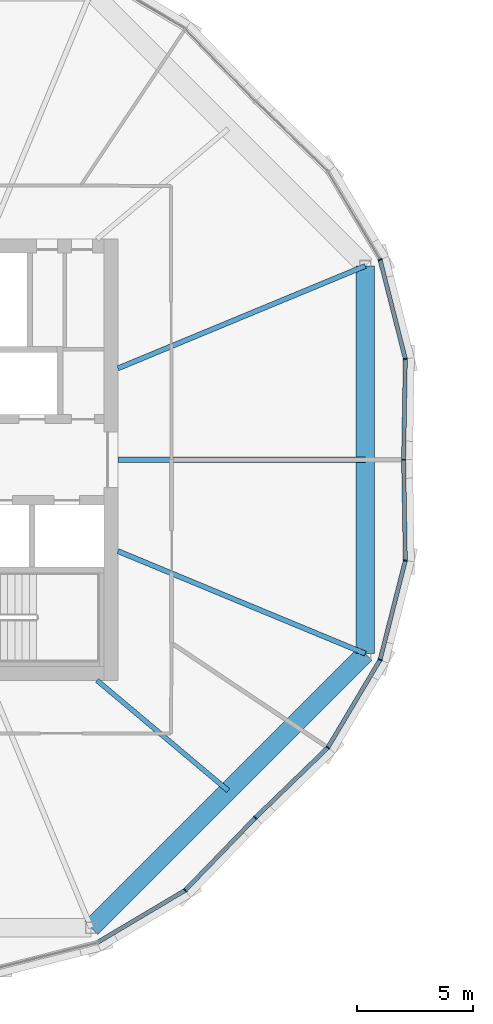
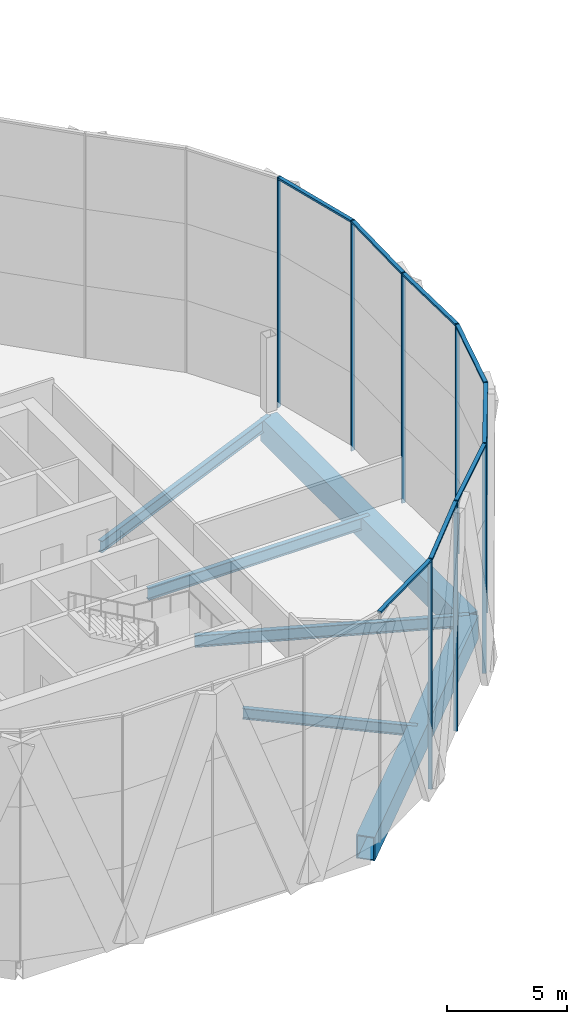
# One storey, part 5 of 23: 16 members, 6 beams, 3 elements without a shape of their own.
"""IFC4 building model written with IfcOpenShell, lengths in metres."""

from ifc_helpers import new_model, si_unit, direction, frame, origin, origin_2d, place, context, subcontext, project, spatial, rectangle, hollow_rectangle, i_section, extrude, material, material_profile, profile_set, type_object, element, aggregate, save


model = new_model("IFC4")

# Units and contexts
model_context = context("Model", 3, precision=1e-05, world=origin(), true_north=direction((0.0, 1.0)))
body_context = subcontext(model_context, "Body", "Model", "MODEL_VIEW")
ifc_project = project(units=[si_unit("LENGTHUNIT", "METRE"), si_unit("AREAUNIT", "SQUARE_METRE"), si_unit("VOLUMEUNIT", "CUBIC_METRE"), si_unit("PLANEANGLEUNIT", "RADIAN"), si_unit("MASSUNIT", "GRAM", prefix="KILO")], contexts=[model_context])

# Site, building, storey
site_placement = place(None, origin())
site = spatial("IfcSite", under=ifc_project, at=site_placement, CompositionType="ELEMENT")
building_placement = place(site_placement, origin())
building = spatial("IfcBuilding", under=site, at=building_placement, Name="Ogive Gate Towers", CompositionType="ELEMENT")
storey_placement = place(building_placement, frame((0.0, 0.0, 177.300048828125)))
storey = spatial("IfcBuildingStorey", under=building, at=storey_placement, Name="L42", CompositionType="ELEMENT", Elevation=177.300048828125)

# Beams
ifc_material_1 = material(Name="Steel SM460", Category="steel")
ifc_material_profile_1 = material_profile(ifc_material_1, hollow_rectangle(XDim=0.800048828125, YDim=1.199951171875, WallThickness=0.050048828125, at=origin_2d()), Name="BX 1200x800x50")
ifc_profile_set_1 = profile_set([ifc_material_profile_1], Name="Steel SM460")
beam_type_1 = type_object("IfcBeamType", Name="Edge girder BX 1200x800x50", PredefinedType="BEAM", material=ifc_profile_set_1)
beam_1_placement = place(storey_placement, frame((-27.653564453125, -20.14990234375, -0.900146484375), z_axis=(0.707106781187, 0.707106781187, 0.0), x_axis=(-0.707106781187, 0.707106781187, 0.0)))
element("IfcBeam", 1, at=beam_1_placement, inside=storey, type_object=beam_type_1, Name="T1/L42/SBM019", PredefinedType="BEAM", context=body_context, shape_type="SweptSolid", body=[
    extrude(hollow_rectangle(XDim=0.800048828125, YDim=1.199951171875, WallThickness=0.050048828125, at=origin_2d()), origin(), (0.0, 0.0, 1.0), 16.692626953125),
])
beam_2_placement = place(storey_placement, frame((-15.85009765625, -8.346435546875, -0.900146484375), z_axis=(0.0, 1.0, 0.0), x_axis=(-1.0, 0.0, 0.0)))
element("IfcBeam", 2, at=beam_2_placement, inside=storey, type_object=beam_type_1, Name="T1/L42/SBM020", PredefinedType="BEAM", context=body_context, shape_type="SweptSolid", body=[
    extrude(hollow_rectangle(XDim=0.800048828125, YDim=1.199951171875, WallThickness=0.050048828125, at=origin_2d()), origin(), (0.0, 0.0, 1.0), 16.69287109375),
])
ifc_material_2 = material(Name="Steel SM355", Category="steel")
ifc_material_profile_2 = material_profile(ifc_material_2, i_section(OverallWidth=0.2099609375, OverallDepth=0.550048828125, WebThickness=0.010986328125, FlangeThickness=0.01708984375, FilletRadius=0.02392578125, at=origin_2d()), Name="IPE 550")
ifc_profile_set_2 = profile_set([ifc_material_profile_2], Name="Steel SM355")
beam_type_2 = type_object("IfcBeamType", Name="Radial floor beam IPE 550", PredefinedType="BEAM", material=ifc_profile_set_2)
beam_3_placement = place(storey_placement, frame((-27.39990234375, -9.5, -0.574951171875), z_axis=(0.76545320234, -0.643491565622, 0.0), x_axis=(0.643491565622, 0.76545320234, 0.0)))
element("IfcBeam", 3, at=beam_3_placement, inside=storey, type_object=beam_type_2, Name="T1/L42/SBM006", PredefinedType="BEAM", context=body_context, shape_type="SweptSolid", body=[
    extrude(i_section(OverallWidth=0.2099609375, OverallDepth=0.550048828125, WebThickness=0.010986328125, FlangeThickness=0.01708984375, FilletRadius=0.02392578125, at=origin_2d()), origin(), (0.0, 0.0, 1.0), 7.378662109375),
])
ifc_material_profile_3 = material_profile(ifc_material_2, i_section(OverallWidth=0.219970703125, OverallDepth=0.60009765625, WebThickness=0.011962890625, FlangeThickness=0.01904296875, FilletRadius=0.02392578125, at=origin_2d()), Name="IPE 600")
ifc_profile_set_3 = profile_set([ifc_material_profile_3], Name="Steel SM355")
beam_type_3 = type_object("IfcBeamType", Name="Radial floor beam IPE 600", PredefinedType="BEAM", material=ifc_profile_set_3)
beam_4_placement = place(storey_placement, frame((-26.5, -3.93505859375, -0.60009765625), z_axis=(0.923878214756, -0.382686613691, 0.0), x_axis=(0.382686613691, 0.923878214756, 0.0)))
element("IfcBeam", 4, at=beam_4_placement, inside=storey, type_object=beam_type_3, Name="T1/L42/SBM007", PredefinedType="BEAM", context=body_context, shape_type="SweptSolid", body=[
    extrude(i_section(OverallWidth=0.219970703125, OverallDepth=0.60009765625, WebThickness=0.011962890625, FlangeThickness=0.01904296875, FilletRadius=0.02392578125, at=origin_2d()), origin(), (0.0, 0.0, 1.0), 11.52734375),
])
beam_5_placement = place(storey_placement, frame((-26.5, 0.0, -0.60009765625), z_axis=(1.0, 0.0, 0.0), x_axis=(0.0, 1.0, 0.0)))
element("IfcBeam", 5, at=beam_5_placement, inside=storey, type_object=beam_type_3, Name="T1/L42/SBM008", PredefinedType="BEAM", context=body_context, shape_type="SweptSolid", body=[
    extrude(i_section(OverallWidth=0.219970703125, OverallDepth=0.60009765625, WebThickness=0.011962890625, FlangeThickness=0.01904296875, FilletRadius=0.02392578125, at=origin_2d()), origin(), (0.0, 0.0, 1.0), 10.64990234375),
])
beam_6_placement = place(storey_placement, frame((-26.5, 3.93505859375, -0.60009765625), z_axis=(0.923878214756, 0.382686613691, 0.0), x_axis=(-0.382686613691, 0.923878214756, 0.0)))
element("IfcBeam", 6, at=beam_6_placement, inside=storey, type_object=beam_type_3, Name="T1/L42/SBM009", PredefinedType="BEAM", context=body_context, shape_type="SweptSolid", body=[
    extrude(i_section(OverallWidth=0.219970703125, OverallDepth=0.60009765625, WebThickness=0.011962890625, FlangeThickness=0.01904296875, FilletRadius=0.02392578125, at=origin_2d()), origin(), (0.0, 0.0, 1.0), 11.52734375),
])

# Curtain wall, members
ifc_material_3 = material(Name="Pale metal aluminium", Category="aluminium")
curtain_wall_type = type_object("IfcCurtainWallType", Name="Tower unitised wall, high zone", PredefinedType="NOTDEFINED", material=ifc_material_3)
curtain_wall_1_placement = place(storey_placement, origin())
curtain_wall_1 = element("IfcCurtainWall", 7, at=curtain_wall_1_placement, inside=storey, type_object=curtain_wall_type, Name="CW2 T1 ECW01", PredefinedType="NOTDEFINED")
ifc_material_profile_4 = material_profile(ifc_material_3, rectangle(XDim=0.179931640625, YDim=0.06005859375, at=origin_2d()), Name="60 x 180 aluminium box")
ifc_profile_set_4 = profile_set([ifc_material_profile_4], Name="Pale metal aluminium")
member_type_1 = type_object("IfcMemberType", Name="Tower unitised wall, high zone mullion 60 x 180", PredefinedType="MULLION", material=ifc_profile_set_4)
member_1_placement = place(storey_placement, frame((-14.199951171875, 0.000244140625, -0.300048828125), z_axis=(0.0, 0.0, 1.0), x_axis=(0.99985699147, -0.016911434246, 0.0)))
member_1 = element("IfcMember", 8, at=member_1_placement, type_object=member_type_1, Name="CW2 mullion", PredefinedType="MULLION", context=body_context, shape_type="SweptSolid", body=[
    extrude(rectangle(XDim=0.179931640625, YDim=0.06005859375, at=origin_2d()), origin(), (0.0, 0.0, 1.0), 11.699951171875),
])
member_2_placement = place(storey_placement, frame((-14.12646484375, 4.343505859375, -0.300048828125), z_axis=(0.0, 0.0, 1.0), x_axis=(0.993272085779, 0.115803987891, 0.0)))
member_2 = element("IfcMember", 9, at=member_2_placement, type_object=member_type_1, Name="CW2 mullion", PredefinedType="MULLION", context=body_context, shape_type="SweptSolid", body=[
    extrude(rectangle(XDim=0.179931640625, YDim=0.06005859375, at=origin_2d()), origin(), (0.0, 0.0, 1.0), 11.699951171875),
])
member_3_placement = place(storey_placement, frame((-15.211669921875, 8.61083984375, -0.300048828125), z_axis=(0.0, 0.0, 1.0), x_axis=(0.923879532511, 0.382683432365, 0.0)))
member_3 = element("IfcMember", 10, at=member_3_placement, type_object=member_type_1, Name="CW2 mullion", PredefinedType="MULLION", context=body_context, shape_type="SweptSolid", body=[
    extrude(rectangle(XDim=0.179931640625, YDim=0.06005859375, at=origin_2d()), origin(), (0.0, 0.0, 1.0), 11.699951171875),
])

curtain_wall_2_placement = place(storey_placement, origin())
curtain_wall_2 = element("IfcCurtainWall", 11, at=curtain_wall_2_placement, inside=storey, type_object=curtain_wall_type, Name="CW2 T1 ECW07", PredefinedType="NOTDEFINED")
member_4_placement = place(storey_placement, frame((-23.6044921875, -18.538330078125, -0.300048828125), z_axis=(0.0, 0.0, 1.0), x_axis=(0.620463642292, -0.784235212544, 0.0)))
member_4 = element("IfcMember", 12, at=member_4_placement, type_object=member_type_1, Name="CW2 mullion", PredefinedType="MULLION", context=body_context, shape_type="SweptSolid", body=[
    extrude(rectangle(XDim=0.179931640625, YDim=0.06005859375, at=origin_2d()), origin(), (0.0, 0.0, 1.0), 11.699951171875),
])
member_5_placement = place(storey_placement, frame((-20.585205078125, -15.4150390625, -0.300048828125), z_axis=(0.0, 0.0, 1.0), x_axis=(0.71896384872, -0.69504746905, 0.0)))
member_5 = element("IfcMember", 13, at=member_5_placement, type_object=member_type_1, Name="CW2 mullion", PredefinedType="MULLION", context=body_context, shape_type="SweptSolid", body=[
    extrude(rectangle(XDim=0.179931640625, YDim=0.06005859375, at=origin_2d()), origin(), (0.0, 0.0, 1.0), 11.699951171875),
])

curtain_wall_3_placement = place(storey_placement, origin())
curtain_wall_3 = element("IfcCurtainWall", 14, at=curtain_wall_3_placement, inside=storey, type_object=curtain_wall_type, Name="CW2 T1 ECW08", PredefinedType="NOTDEFINED")
member_6_placement = place(storey_placement, frame((-17.461669921875, -12.3955078125, -0.300048828125), z_axis=(0.0, 0.0, 1.0), x_axis=(0.784235212544, -0.620463642292, 0.0)))
member_6 = element("IfcMember", 15, at=member_6_placement, type_object=member_type_1, Name="CW2 mullion", PredefinedType="MULLION", context=body_context, shape_type="SweptSolid", body=[
    extrude(rectangle(XDim=0.179931640625, YDim=0.06005859375, at=origin_2d()), origin(), (0.0, 0.0, 1.0), 11.699951171875),
])
member_7_placement = place(storey_placement, frame((-15.211669921875, -8.61083984375, -0.300048828125), z_axis=(0.0, 0.0, 1.0), x_axis=(0.923879532511, -0.382683432365, 0.0)))
member_7 = element("IfcMember", 16, at=member_7_placement, type_object=member_type_1, Name="CW2 mullion", PredefinedType="MULLION", context=body_context, shape_type="SweptSolid", body=[
    extrude(rectangle(XDim=0.179931640625, YDim=0.06005859375, at=origin_2d()), origin(), (0.0, 0.0, 1.0), 11.699951171875),
])
member_8_placement = place(storey_placement, frame((-14.12646484375, -4.343505859375, -0.300048828125), z_axis=(0.0, 0.0, 1.0), x_axis=(0.993272085779, -0.115803987891, 0.0)))
member_8 = element("IfcMember", 17, at=member_8_placement, type_object=member_type_1, Name="CW2 mullion", PredefinedType="MULLION", context=body_context, shape_type="SweptSolid", body=[
    extrude(rectangle(XDim=0.179931640625, YDim=0.06005859375, at=origin_2d()), origin(), (0.0, 0.0, 1.0), 11.699951171875),
])

# Member
ifc_material_profile_5 = material_profile(ifc_material_3, rectangle(XDim=0.179931640625, YDim=0.10009765625, at=origin_2d()), Name="100 x 180 aluminium box")
ifc_profile_set_5 = profile_set([ifc_material_profile_5], Name="Pale metal aluminium")
member_type_2 = type_object("IfcMemberType", Name="Tower unitised wall, high zone transom 100 x 180", PredefinedType="USERDEFINED", material=ifc_profile_set_5)
member_9_placement = place(storey_placement, frame((-14.199462890625, 0.0302734375, 11.349853515625), z_axis=(0.016921618058, 0.999856819171, 0.0), x_axis=(-0.999856819171, 0.016921618058, 0.0)))
member_9 = element("IfcMember", 18, at=member_9_placement, type_object=member_type_2, Name="CW2 transom", ObjectType="TRANSOM", PredefinedType="USERDEFINED", context=body_context, shape_type="SweptSolid", body=[
    extrude(rectangle(XDim=0.179931640625, YDim=0.10009765625, at=origin_2d()), origin(), (0.0, 0.0, 1.0), 4.28515625),
])

member_10_placement = place(storey_placement, frame((-14.133544921875, 4.37109375, 11.349853515625), z_axis=(-0.246498942099, 0.969143060412, 0.0), x_axis=(-0.969143060412, -0.246498942099, 0.0)))
member_10 = element("IfcMember", 19, at=member_10_placement, type_object=member_type_2, Name="CW2 transom", ObjectType="TRANSOM", PredefinedType="USERDEFINED", context=body_context, shape_type="SweptSolid", body=[
    extrude(rectangle(XDim=0.179931640625, YDim=0.10009765625, at=origin_2d()), origin(), (0.0, 0.0, 1.0), 4.345947265625),
])

aggregate(curtain_wall_1, [member_1, member_2, member_9, member_3, member_10])

member_11_placement = place(storey_placement, frame((-27.36474609375, -20.773681640625, 11.349853515625), z_axis=(0.859557897045, 0.511038375885, 0.0), x_axis=(-0.511038375885, 0.859557897045, 0.0)))
member_11 = element("IfcMember", 20, at=member_11_placement, type_object=member_type_2, Name="CW2 transom", ObjectType="TRANSOM", PredefinedType="USERDEFINED", context=body_context, shape_type="SweptSolid", body=[
    extrude(rectangle(XDim=0.179931640625, YDim=0.10009765625, at=origin_2d()), origin(), (0.0, 0.0, 1.0), 4.345947265625),
])

member_12_placement = place(storey_placement, frame((-23.58447265625, -18.517578125, 11.349853515625), z_axis=(0.695041730351, 0.718969396477, 0.0), x_axis=(-0.718969396477, 0.695041730351, 0.0)))
member_12 = element("IfcMember", 21, at=member_12_placement, type_object=member_type_2, Name="CW2 transom", ObjectType="TRANSOM", PredefinedType="USERDEFINED", context=body_context, shape_type="SweptSolid", body=[
    extrude(rectangle(XDim=0.179931640625, YDim=0.10009765625, at=origin_2d()), origin(), (0.0, 0.0, 1.0), 4.285400390625),
])

aggregate(curtain_wall_2, [member_4, member_11, member_5, member_12])

member_13_placement = place(storey_placement, frame((-20.5634765625, -15.39404296875, 11.349853515625), z_axis=(0.718969396477, 0.695041730351, 0.0), x_axis=(-0.695041730351, 0.718969396477, 0.0)))
member_13 = element("IfcMember", 22, at=member_13_placement, type_object=member_type_2, Name="CW2 transom", ObjectType="TRANSOM", PredefinedType="USERDEFINED", context=body_context, shape_type="SweptSolid", body=[
    extrude(rectangle(XDim=0.179931640625, YDim=0.10009765625, at=origin_2d()), origin(), (0.0, 0.0, 1.0), 4.285400390625),
])

member_14_placement = place(storey_placement, frame((-17.447265625, -12.370849609375, 11.349853515625), z_axis=(0.511038375885, 0.859557897045, 0.0), x_axis=(-0.859557897045, 0.511038375885, 0.0)))
member_14 = element("IfcMember", 23, at=member_14_placement, type_object=member_type_2, Name="CW2 transom", ObjectType="TRANSOM", PredefinedType="USERDEFINED", context=body_context, shape_type="SweptSolid", body=[
    extrude(rectangle(XDim=0.179931640625, YDim=0.10009765625, at=origin_2d()), origin(), (0.0, 0.0, 1.0), 4.345947265625),
])

member_15_placement = place(storey_placement, frame((-15.204833984375, -8.5830078125, 11.349853515625), z_axis=(0.246498942099, 0.969143060412, 0.0), x_axis=(-0.969143060412, 0.246498942099, 0.0)))
member_15 = element("IfcMember", 24, at=member_15_placement, type_object=member_type_2, Name="CW2 transom", ObjectType="TRANSOM", PredefinedType="USERDEFINED", context=body_context, shape_type="SweptSolid", body=[
    extrude(rectangle(XDim=0.179931640625, YDim=0.10009765625, at=origin_2d()), origin(), (0.0, 0.0, 1.0), 4.345947265625),
])

member_16_placement = place(storey_placement, frame((-14.126953125, -4.314697265625, 11.349853515625), z_axis=(-0.016921618058, 0.999856819171, 0.0), x_axis=(-0.999856819171, -0.016921618058, 0.0)))
member_16 = element("IfcMember", 25, at=member_16_placement, type_object=member_type_2, Name="CW2 transom", ObjectType="TRANSOM", PredefinedType="USERDEFINED", context=body_context, shape_type="SweptSolid", body=[
    extrude(rectangle(XDim=0.179931640625, YDim=0.10009765625, at=origin_2d()), origin(), (0.0, 0.0, 1.0), 4.28515625),
])

aggregate(curtain_wall_3, [member_6, member_13, member_7, member_14, member_8, member_15, member_16])

save(model, "model.ifc")
